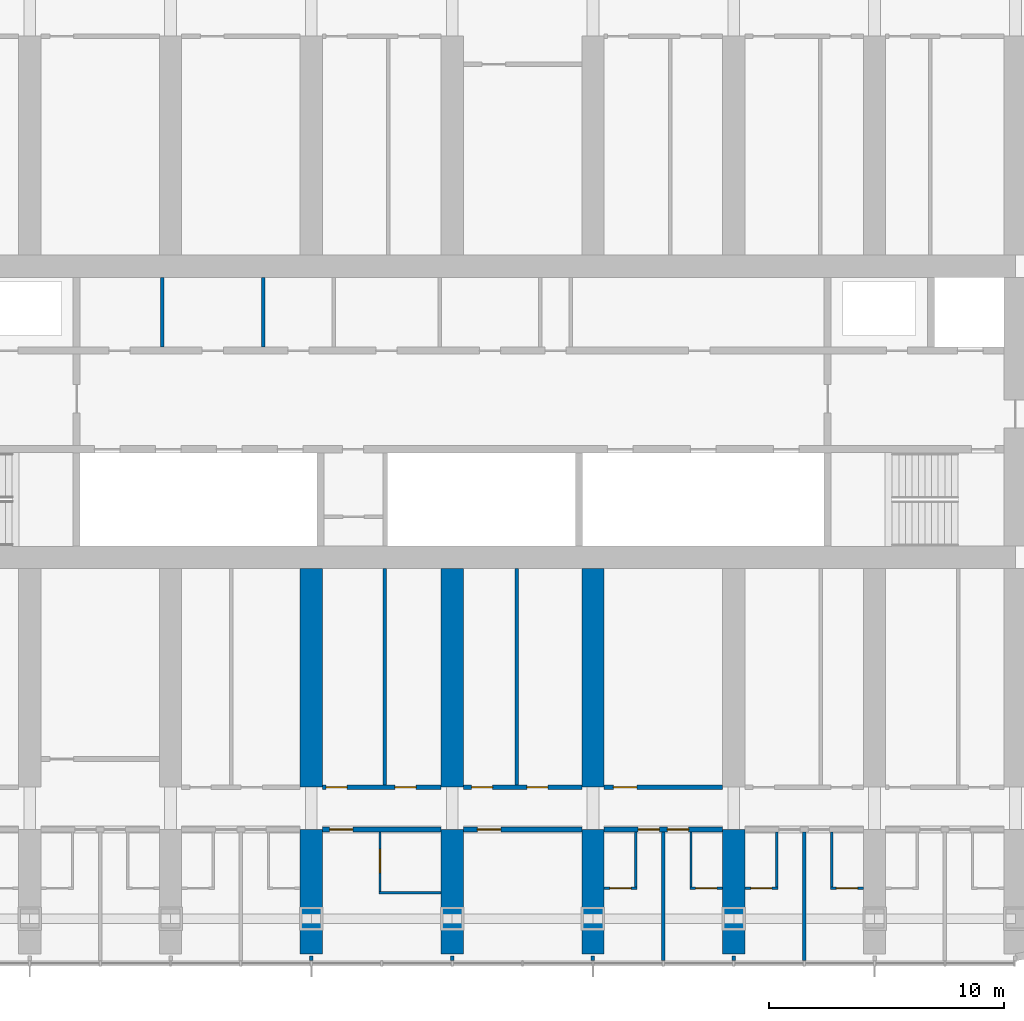
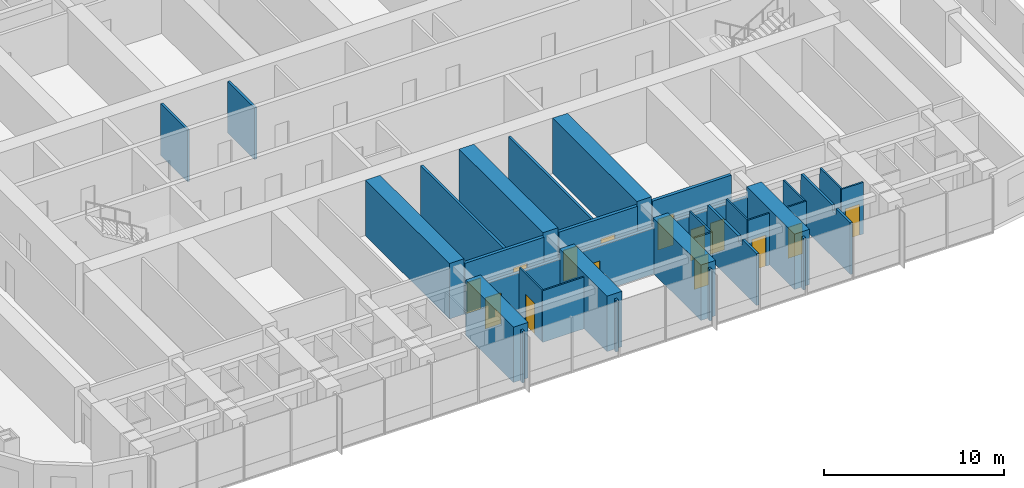
# One storey, part 10 of 21: 33 walls, 14 doors, 14 openings.
"""IFC4 building model written with IfcOpenShell, lengths in metres."""

import ifcopenshell
import ifcopenshell.guid

model = None  # the IFC model being written
_history = None  # IfcOwnerHistory: only IFC2X3 demands one
_inside = {}  # id of a spatial element -> (the spatial element, [elements in it])
_under = {}  # id of a project, library or spatial element -> (it, [spatial elements below it])
_declared = {}  # id of a project -> (the project, [libraries it declares])
_typed = {}  # id of a type object -> (the type object, [elements of that type])
_made_of = {}  # id of a material, layer set ... -> (it, [elements and type objects made of it])


def new_model(schema):
    """Start an empty IFC model of exactly this schema.

    Asked for "IFC4X3", IfcOpenShell would pick the latest addendum, in which some entities
    have other attributes; the version numbers below select the first issue.
    IFC2X3 requires an IfcOwnerHistory on every rooted entity: one is made here for all.
    """
    global model, _history
    if schema == "IFC4X3":
        model = ifcopenshell.file(schema_version=(4, 3, 0, 0))
    else:
        model = ifcopenshell.file(schema=schema)
    _inside.clear()
    _under.clear()
    _declared.clear()
    _typed.clear()
    _made_of.clear()
    _history = None
    if model.schema == "IFC2X3":
        org = make("IfcOrganization", Name="unknown")
        user = make(
            "IfcPersonAndOrganization",
            ThePerson=make("IfcPerson", FamilyName="unknown"),
            TheOrganization=org,
        )
        app = make(
            "IfcApplication",
            ApplicationDeveloper=org,
            Version="unknown",
            ApplicationFullName="unknown",
            ApplicationIdentifier="unknown",
        )
        _history = make(
            "IfcOwnerHistory",
            OwningUser=user,
            OwningApplication=app,
            ChangeAction="ADDED",
            CreationDate=0,
        )
    return model


def make(cls, **values):
    """One entity of the class cls with the attributes given. An attribute that is None is left unset."""
    return model.create_entity(
        cls, **{name: value for name, value in values.items() if value is not None}
    )


def rooted(cls, **values):
    """An entity with a GlobalId (a new one), such as an element, a storey or a relation."""
    return make(cls, GlobalId=ifcopenshell.guid.new(), OwnerHistory=_history, **values)


def si_unit(unit_type, name, prefix=None):
    """IfcSIUnit, for example si_unit("LENGTHUNIT", "METRE", prefix="MILLI")."""
    return make("IfcSIUnit", UnitType=unit_type, Prefix=prefix, Name=name)


def assignment(units):
    """IfcUnitAssignment: the units of a project."""
    return None if units is None else make("IfcUnitAssignment", Units=units)


def point(xyz):
    """IfcCartesianPoint."""
    return None if xyz is None else make("IfcCartesianPoint", Coordinates=xyz)


def direction(xyz):
    """IfcDirection."""
    return None if xyz is None else make("IfcDirection", DirectionRatios=xyz)


def frame(location, z_axis=None, x_axis=None):
    """IfcAxis2Placement3D, a coordinate frame: its origin and axes. An axis left out is left unset."""
    return make(
        "IfcAxis2Placement3D",
        Location=point(location),
        Axis=direction(z_axis),
        RefDirection=direction(x_axis),
    )


def frame_2d(location, x_axis=None):
    """IfcAxis2Placement2D, a coordinate frame in the plane: its origin and x axis."""
    return make(
        "IfcAxis2Placement2D", Location=point(location), RefDirection=direction(x_axis)
    )


def origin():
    """The frame at (0, 0, 0) with its axes left unset."""
    return frame((0.0, 0.0, 0.0))


def place(relative_to, where):
    """IfcLocalPlacement: puts the frame where relative to a parent placement (None: the world)."""
    return make(
        "IfcLocalPlacement", PlacementRelTo=relative_to, RelativePlacement=where
    )


def context(
    kind, dimensions, precision=None, world=None, true_north=None, identifier=None
):
    """IfcGeometricRepresentationContext, for example the 3D "Model" context."""
    return make(
        "IfcGeometricRepresentationContext",
        ContextIdentifier=identifier,
        ContextType=kind,
        CoordinateSpaceDimension=dimensions,
        Precision=precision,
        WorldCoordinateSystem=world,
        TrueNorth=true_north,
    )


def subcontext(parent, identifier, kind, view, scale=None):
    """IfcGeometricRepresentationSubContext, for example "Body" below "Model"."""
    return make(
        "IfcGeometricRepresentationSubContext",
        ContextIdentifier=identifier,
        ContextType=kind,
        ParentContext=parent,
        TargetScale=scale,
        TargetView=view,
    )


def project(units=None, contexts=None):
    """IfcProject with its units and contexts."""
    return rooted(
        "IfcProject",
        Name="project",
        RepresentationContexts=contexts,
        UnitsInContext=assignment(units),
    )


def spatial(cls, under=None, at=None, **own):
    """A site, building, storey or space (cls), placed at a placement, below another one or the project."""
    s = rooted(cls, ObjectPlacement=at, **own)
    if under is not None:
        _under.setdefault(under.id(), (under, []))[1].append(s)
    return s


def polyline(points):
    """IfcPolyline through the points."""
    return make("IfcPolyline", Points=[point(p) for p in points])


def profile(cls, at=None, kind="AREA", **sizes):
    """A parametric profile (cls). Its sizes go by their IFC names, for example OverallWidth=200.0."""
    return make(cls, ProfileType=kind, Position=at, **sizes)


def rectangle(**sizes):
    """IfcRectangleProfileDef."""
    return profile("IfcRectangleProfileDef", **sizes)


def outline(outer, holes=None, kind="AREA"):
    """IfcArbitraryClosedProfileDef: a profile drawn as a closed curve; with holes, ...WithVoids."""
    if holes is None:
        return make("IfcArbitraryClosedProfileDef", ProfileType=kind, OuterCurve=outer)
    return make(
        "IfcArbitraryProfileDefWithVoids",
        ProfileType=kind,
        OuterCurve=outer,
        InnerCurves=holes,
    )


def extrude(swept, where, along, depth):
    """IfcExtrudedAreaSolid: the profile swept, set in the frame where, extruded along a direction by depth."""
    return make(
        "IfcExtrudedAreaSolid",
        SweptArea=swept,
        Position=where,
        ExtrudedDirection=direction(along),
        Depth=depth,
    )


def shape(context_of_items, identifier, shape_type, items):
    """IfcShapeRepresentation: the items that make up one representation, for example the "Body"."""
    return make(
        "IfcShapeRepresentation",
        ContextOfItems=context_of_items,
        RepresentationIdentifier=identifier,
        RepresentationType=shape_type,
        Items=items,
    )


def material(Name=None, Category=None):
    """IfcMaterial."""
    return make("IfcMaterial", Name=Name, Category=Category)


def layer(
    of_material, thickness, ventilated=None, Name=None, Category=None, Priority=None
):
    """IfcMaterialLayer: one layer of a wall or slab, of a material (None: an air gap)."""
    return make(
        "IfcMaterialLayer",
        Material=of_material,
        LayerThickness=thickness,
        IsVentilated=ventilated,
        Name=Name,
        Category=Category,
        Priority=Priority,
    )


def layer_set(layers, Name=None):
    """IfcMaterialLayerSet."""
    return make("IfcMaterialLayerSet", MaterialLayers=layers, LayerSetName=Name)


def made_of(thing, what):
    """Note that an element or type object is made of a material, layer set ...; save() writes the relation."""
    if what is not None:
        _made_of.setdefault(what.id(), (what, []))[1].append(thing)
    return thing


def type_object(cls, material=None, **own):
    """A type object (cls), such as IfcWallType, which elements share."""
    return made_of(rooted(cls, **own), material)


def element(
    cls,
    number,
    at=None,
    inside=None,
    cuts=None,
    type_object=None,
    material=None,
    context=None,
    identifier="Body",
    shape_type=None,
    held_by="IfcProductDefinitionShape",
    body=None,
    shapes=None,
    **own,
):
    """One element of the class cls, such as IfcWall. Its Tag is "e" and its number.

    at: its placement. inside: the storey or other place that contains it. cuts: it is an
    opening in that element (IfcRelVoidsElement). A single representation is given by context,
    identifier, shape_type and body (its items); several are given by shapes. held_by: the class
    of the entity that holds the representations. save() writes the other relations.
    """
    e = rooted(cls, Tag="e%d" % number, ObjectPlacement=at, **own)
    if body is not None:
        shapes = [shape(context, identifier, shape_type, body)]
    if shapes is not None:
        e.Representation = make(held_by, Representations=shapes)
    if inside is not None:
        _inside.setdefault(inside.id(), (inside, []))[1].append(e)
    if cuts is not None:
        rooted(
            "IfcRelVoidsElement", RelatingBuildingElement=cuts, RelatedOpeningElement=e
        )
    if type_object is not None:
        _typed.setdefault(type_object.id(), (type_object, []))[1].append(e)
    return made_of(e, material)


def fill(opening, filler):
    """IfcRelFillsElement: the door or window that sits in an opening."""
    return rooted(
        "IfcRelFillsElement",
        RelatingOpeningElement=opening,
        RelatedBuildingElement=filler,
    )


def aggregate(whole, parts):
    """IfcRelAggregates: a whole, such as a stair, and the parts it consists of."""
    return rooted("IfcRelAggregates", RelatingObject=whole, RelatedObjects=parts)


def save(model, path):
    """Write the relations noted so far, then the file.

    IfcRelAggregates (storeys below a building ...), IfcRelContainedInSpatialStructure (elements
    in a storey), IfcRelDefinesByType, IfcRelAssociatesMaterial and IfcRelDeclares: one each for
    every whole, place, type object, material and project.
    """
    for whole, parts in _under.values():
        aggregate(whole, parts)
    for where, things in _inside.values():
        rooted(
            "IfcRelContainedInSpatialStructure",
            RelatedElements=things,
            RelatingStructure=where,
        )
    for kind, things in _typed.values():
        rooted("IfcRelDefinesByType", RelatedObjects=things, RelatingType=kind)
    for what, things in _made_of.values():
        rooted("IfcRelAssociatesMaterial", RelatedObjects=things, RelatingMaterial=what)
    for by, libraries in _declared.values():
        rooted("IfcRelDeclares", RelatingContext=by, RelatedDefinitions=libraries)
    model.write(path)


model = new_model("IFC4")

# Units and contexts
model_context = context("Model", 3, precision=1e-05, world=origin(), true_north=direction((0.0, 1.0)))
body_context = subcontext(model_context, "Body", "Model", "MODEL_VIEW")
ifc_project = project(units=[si_unit("LENGTHUNIT", "METRE"), si_unit("AREAUNIT", "SQUARE_METRE"), si_unit("VOLUMEUNIT", "CUBIC_METRE"), si_unit("PLANEANGLEUNIT", "RADIAN"), si_unit("MASSUNIT", "GRAM", prefix="KILO")], contexts=[model_context])

# Site, building, storey
site_placement = place(None, origin())
site = spatial("IfcSite", under=ifc_project, at=site_placement, CompositionType="ELEMENT")
building_placement = place(site_placement, origin())
building = spatial("IfcBuilding", under=site, at=building_placement, Name="Orbita Commons", CompositionType="ELEMENT")
storey_placement = place(building_placement, frame((0.0, 0.0, 88.14990234375)))
storey = spatial("IfcBuildingStorey", under=building, at=storey_placement, Name="L21", CompositionType="ELEMENT", Elevation=88.14990234375)

# Walls
ifc_material_1 = material(Name="Concrete blockwork", Category="masonry")
ifc_layer_1 = layer(ifc_material_1, 0.14990234375)
ifc_layer_set_1 = layer_set([ifc_layer_1], Name="Concrete blockwork")
wall_type_1 = type_object("IfcWallType", Name="Core partition 150 blockwork", PredefinedType="SOLIDWALL", material=ifc_layer_set_1)
for number, where, z_axis, x_axis, name in (
    (1, (29.65087890625, 34.75, 0.0), (0.0, 0.0, 1.0), (0.0, 1.0, 0.0), "Core partition 150 blockwork L21"),
    (2, (33.9462890625, 34.75, 0.0), (0.0, 0.0, 1.0), (0.0, 1.0, 0.0), "Core partition 150 blockwork L21"),
):
    element("IfcWall", number, at=place(storey_placement, frame(where, z_axis=z_axis, x_axis=x_axis)), inside=storey, type_object=wall_type_1, Name=name, PredefinedType="SOLIDWALL", context=body_context, shape_type="SweptSolid", body=[
        extrude(rectangle(XDim=2.97509765625, YDim=0.14990234375, at=frame_2d((1.487548828125, 0.0))), origin(), (0.0, 0.0, 1.0), 3.5),
    ])

# Wall, opening, door
ifc_material_2 = material(Name="Concrete blockwork", Category="masonry")
ifc_layer_2 = layer(ifc_material_2, 0.199951171875)
ifc_layer_set_2 = layer_set([ifc_layer_2], Name="Concrete blockwork")
wall_type_2 = type_object("IfcWallType", Name="Corridor wall 200 blockwork", PredefinedType="SOLIDWALL", material=ifc_layer_set_2)
wall_1_placement = place(storey_placement, frame((36.47509765625, 14.199951171875, 0.0), z_axis=(0.0, 0.0, 1.0), x_axis=(1.0, 0.0, 0.0)))
wall_1 = element("IfcWall", 3, at=wall_1_placement, inside=storey, type_object=wall_type_2, Name="Corridor wall 200 blockwork L21", PredefinedType="SOLIDWALL", context=body_context, shape_type="SweptSolid", body=[
    extrude(outline(polyline([(0.0, 0.0), (5.0498046875, 0.0), (5.050048828125, 3.10009765625), (0.0, 3.10009765625), (0.0, 0.0)])), frame((0.0, 0.10009765625, 0.0), z_axis=(0.0, -1.0, 0.0), x_axis=(1.0, 0.0, 0.0)), (0.0, 0.0, 1.0), 0.199951171875),
])
opening_1_placement = place(wall_1_placement, frame((0.300048828125, 0.0, 0.0)))
opening_1 = element("IfcOpeningElement", 4, at=opening_1_placement, cuts=wall_1, Name="Opening D06", PredefinedType="OPENING", context=body_context, shape_type="SweptSolid", body=[
    extrude(rectangle(XDim=1.0, YDim=2.10009765625, at=frame_2d((0.5, 1.050048828125))), frame((0.0, 0.10986328125, 0.0), z_axis=(0.0, -1.0, 0.0), x_axis=(1.0, 0.0, 0.0)), (0.0, 0.0, 1.0), 0.219970703125),
])
ifc_material_3 = material(Name="Steel-faced fire door leaf", Category="steel")
door_type_1 = type_object("IfcDoorType", Name="Corridor door 20 min 1000x2100", OperationType="SINGLE_SWING_LEFT", PredefinedType="DOOR", material=ifc_material_3)
door_1_placement = place(opening_1_placement, origin())
door_1 = element("IfcDoor", 5, at=door_1_placement, inside=storey, type_object=door_type_1, Name="Accessible bedroom L21-S08 door", OperationType="SINGLE_SWING_LEFT", OverallHeight=2.10009765625, OverallWidth=1.0, PredefinedType="DOOR", context=body_context, shape_type="SweptSolid", body=[
    extrude(rectangle(XDim=1.0, YDim=2.10009765625, at=frame_2d((0.5, 1.050048828125))), frame((0.0, 0.02490234375, 0.0), z_axis=(0.0, -1.0, 0.0), x_axis=(1.0, 0.0, 0.0)), (0.0, 0.0, 1.0), 0.050048828125),
])
fill(opening_1, door_1)

wall_2_placement = place(storey_placement, frame((42.47509765625, 14.199951171875, 0.0), z_axis=(0.0, 0.0, 1.0), x_axis=(1.0, 0.0, 0.0)))
wall_2 = element("IfcWall", 6, at=wall_2_placement, inside=storey, type_object=wall_type_2, Name="Corridor wall 200 blockwork L21", PredefinedType="SOLIDWALL", context=body_context, shape_type="SweptSolid", body=[
    extrude(outline(polyline([(0.0, 0.0), (5.0498046875, 0.0), (5.050048828125, 3.10009765625), (0.0, 3.10009765625), (0.0, 0.0)])), frame((0.0, 0.10009765625, 0.0), z_axis=(0.0, -1.0, 0.0), x_axis=(1.0, 0.0, 0.0)), (0.0, 0.0, 1.0), 0.199951171875),
])
opening_2_placement = place(wall_2_placement, frame((0.60009765625, 0.0, 0.0)))
opening_2 = element("IfcOpeningElement", 7, at=opening_2_placement, cuts=wall_2, Name="Opening D06", PredefinedType="OPENING", context=body_context, shape_type="SweptSolid", body=[
    extrude(rectangle(XDim=1.0, YDim=2.10009765625, at=frame_2d((0.5, 1.050048828125))), frame((0.0, 0.10986328125, 0.0), z_axis=(0.0, -1.0, 0.0), x_axis=(1.0, 0.0, 0.0)), (0.0, 0.0, 1.0), 0.219970703125),
])
door_2_placement = place(opening_2_placement, origin())
door_2 = element("IfcDoor", 8, at=door_2_placement, inside=storey, type_object=door_type_1, Name="Cluster kitchen-diner L21-S10 door", OperationType="SINGLE_SWING_LEFT", OverallHeight=2.10009765625, OverallWidth=1.0, PredefinedType="DOOR", context=body_context, shape_type="SweptSolid", body=[
    extrude(rectangle(XDim=1.0, YDim=2.10009765625, at=frame_2d((0.5, 1.050048828125))), frame((0.0, 0.02490234375, 0.0), z_axis=(0.0, -1.0, 0.0), x_axis=(1.0, 0.0, 0.0)), (0.0, 0.0, 1.0), 0.050048828125),
])
fill(opening_2, door_2)

# Wall, openings, doors
wall_3_placement = place(storey_placement, frame((48.47509765625, 14.199951171875, 0.0), z_axis=(0.0, 0.0, 1.0), x_axis=(1.0, 0.0, 0.0)))
wall_3 = element("IfcWall", 9, at=wall_3_placement, inside=storey, type_object=wall_type_2, Name="Corridor wall 200 blockwork L21", PredefinedType="SOLIDWALL", context=body_context, shape_type="SweptSolid", body=[
    extrude(outline(polyline([(0.0, 0.0), (5.0498046875, 0.0), (5.050048828125, 3.10009765625), (0.0, 3.10009765625), (0.0, 0.0)])), frame((0.0, 0.10009765625, 0.0), z_axis=(0.0, -1.0, 0.0), x_axis=(1.0, 0.0, 0.0)), (0.0, 0.0, 1.0), 0.199951171875),
])
opening_3_placement = place(wall_3_placement, frame((1.449951171875, 0.0, 0.0)))
opening_3 = element("IfcOpeningElement", 10, at=opening_3_placement, cuts=wall_3, Name="Opening D11", PredefinedType="OPENING", context=body_context, shape_type="SweptSolid", body=[
    extrude(rectangle(XDim=0.89990234375, YDim=2.10009765625, at=frame_2d((0.449951171875, 1.050048828125))), frame((0.0, 0.10986328125, 0.0), z_axis=(0.0, -1.0, 0.0), x_axis=(1.0, 0.0, 0.0)), (0.0, 0.0, 1.0), 0.219970703125),
])
opening_4_placement = place(wall_3_placement, frame((2.699951171875, 0.0, 0.0)))
opening_4 = element("IfcOpeningElement", 11, at=opening_4_placement, cuts=wall_3, Name="Opening D11", PredefinedType="OPENING", context=body_context, shape_type="SweptSolid", body=[
    extrude(rectangle(XDim=0.89990234375, YDim=2.10009765625, at=frame_2d((0.449951171875, 1.050048828125))), frame((0.0, 0.10986328125, 0.0), z_axis=(0.0, -1.0, 0.0), x_axis=(1.0, 0.0, 0.0)), (0.0, 0.0, 1.0), 0.219970703125),
])
ifc_material_4 = material(Name="Steel-faced fire door leaf", Category="steel")
door_type_2 = type_object("IfcDoorType", Name="Corridor door 20 min 900x2100", OperationType="SINGLE_SWING_LEFT", PredefinedType="DOOR", material=ifc_material_4)
door_3_placement = place(opening_3_placement, origin())
door_3 = element("IfcDoor", 12, at=door_3_placement, inside=storey, type_object=door_type_2, Name="Cluster bedroom L21-S12 door", OperationType="SINGLE_SWING_LEFT", OverallHeight=2.10009765625, OverallWidth=0.89990234375, PredefinedType="DOOR", context=body_context, shape_type="SweptSolid", body=[
    extrude(rectangle(XDim=0.89990234375, YDim=2.10009765625, at=frame_2d((0.449951171875, 1.050048828125))), frame((0.0, 0.02490234375, 0.0), z_axis=(0.0, -1.0, 0.0), x_axis=(1.0, 0.0, 0.0)), (0.0, 0.0, 1.0), 0.050048828125),
])
fill(opening_3, door_3)
door_4_placement = place(opening_4_placement, origin())
door_4 = element("IfcDoor", 13, at=door_4_placement, inside=storey, type_object=door_type_2, Name="Cluster bedroom L21-S13 door", OperationType="SINGLE_SWING_LEFT", OverallHeight=2.10009765625, OverallWidth=0.89990234375, PredefinedType="DOOR", context=body_context, shape_type="SweptSolid", body=[
    extrude(rectangle(XDim=0.89990234375, YDim=2.10009765625, at=frame_2d((0.449951171875, 1.050048828125))), frame((0.0, 0.02490234375, 0.0), z_axis=(0.0, -1.0, 0.0), x_axis=(1.0, 0.0, 0.0)), (0.0, 0.0, 1.0), 0.050048828125),
])
fill(opening_4, door_4)

ifc_material_5 = material(Name="Hollow concrete block 200", Category="concrete")
ifc_layer_3 = layer(ifc_material_5, 0.199951171875)
ifc_layer_set_3 = layer_set([ifc_layer_3], Name="Hollow concrete block 200")
wall_type_3 = type_object("IfcWallType", Name="Corridor wall 200 hollow concrete block", PredefinedType="SOLIDWALL", material=ifc_layer_set_3)
wall_4_placement = place(storey_placement, frame((36.47509765625, 16.0, 0.0), z_axis=(0.0, 0.0, 1.0), x_axis=(1.0, 0.0, 0.0)))
wall_4 = element("IfcWall", 14, at=wall_4_placement, inside=storey, type_object=wall_type_3, Name="Corridor wall 200 hollow concrete block L21", PredefinedType="SOLIDWALL", context=body_context, shape_type="SweptSolid", body=[
    extrude(rectangle(XDim=5.0498046875, YDim=0.199951171875, at=frame_2d((2.52490234375, 0.0))), origin(), (0.0, 0.0, 1.0), 3.5),
])
opening_5_placement = place(wall_4_placement, frame((0.14990234375, 0.0, 0.0)))
opening_5 = element("IfcOpeningElement", 15, at=opening_5_placement, cuts=wall_4, Name="Opening D11", PredefinedType="OPENING", context=body_context, shape_type="SweptSolid", body=[
    extrude(rectangle(XDim=0.89990234375, YDim=2.10009765625, at=frame_2d((0.449951171875, 1.050048828125))), frame((0.0, 0.10986328125, 0.0), z_axis=(0.0, -1.0, 0.0), x_axis=(1.0, 0.0, 0.0)), (0.0, 0.0, 1.0), 0.219970703125),
])
opening_6_placement = place(wall_4_placement, frame((3.0849609375, 0.0, 0.0)))
opening_6 = element("IfcOpeningElement", 16, at=opening_6_placement, cuts=wall_4, Name="Opening D11", PredefinedType="OPENING", context=body_context, shape_type="SweptSolid", body=[
    extrude(rectangle(XDim=0.89990234375, YDim=2.10009765625, at=frame_2d((0.449951171875, 1.050048828125))), frame((0.0, 0.10986328125, 0.0), z_axis=(0.0, -1.0, 0.0), x_axis=(1.0, 0.0, 0.0)), (0.0, 0.0, 1.0), 0.219970703125),
])
door_5_placement = place(opening_5_placement, origin())
door_5 = element("IfcDoor", 17, at=door_5_placement, inside=storey, type_object=door_type_2, Name="Battery and UPS room L21-BDS36n door", OperationType="SINGLE_SWING_LEFT", OverallHeight=2.10009765625, OverallWidth=0.89990234375, PredefinedType="DOOR", context=body_context, shape_type="SweptSolid", body=[
    extrude(rectangle(XDim=0.89990234375, YDim=2.10009765625, at=frame_2d((0.449951171875, 1.050048828125))), frame((0.0, 0.02490234375, 0.0), z_axis=(0.0, -1.0, 0.0), x_axis=(1.0, 0.0, 0.0)), (0.0, 0.0, 1.0), 0.050048828125),
])
fill(opening_5, door_5)
door_6_placement = place(opening_6_placement, origin())
door_6 = element("IfcDoor", 18, at=door_6_placement, inside=storey, type_object=door_type_2, Name="Cluster pantry L21-BDS36 door", OperationType="SINGLE_SWING_LEFT", OverallHeight=2.10009765625, OverallWidth=0.89990234375, PredefinedType="DOOR", context=body_context, shape_type="SweptSolid", body=[
    extrude(rectangle(XDim=0.89990234375, YDim=2.10009765625, at=frame_2d((0.449951171875, 1.050048828125))), frame((0.0, 0.02490234375, 0.0), z_axis=(0.0, -1.0, 0.0), x_axis=(1.0, 0.0, 0.0)), (0.0, 0.0, 1.0), 0.050048828125),
])
fill(opening_6, door_6)

wall_5_placement = place(storey_placement, frame((42.47509765625, 16.0, 0.0), z_axis=(0.0, 0.0, 1.0), x_axis=(1.0, 0.0, 0.0)))
wall_5 = element("IfcWall", 19, at=wall_5_placement, inside=storey, type_object=wall_type_3, Name="Corridor wall 200 hollow concrete block L21", PredefinedType="SOLIDWALL", context=body_context, shape_type="SweptSolid", body=[
    extrude(rectangle(XDim=5.0498046875, YDim=0.199951171875, at=frame_2d((2.52490234375, 0.0))), origin(), (0.0, 0.0, 1.0), 3.5),
])
opening_7_placement = place(wall_5_placement, frame((0.35009765625, 0.0, 0.0)))
opening_7 = element("IfcOpeningElement", 20, at=opening_7_placement, cuts=wall_5, Name="Opening D11", PredefinedType="OPENING", context=body_context, shape_type="SweptSolid", body=[
    extrude(rectangle(XDim=0.89990234375, YDim=2.10009765625, at=frame_2d((0.449951171875, 1.050048828125))), frame((0.0, 0.10986328125, 0.0), z_axis=(0.0, -1.0, 0.0), x_axis=(1.0, 0.0, 0.0)), (0.0, 0.0, 1.0), 0.219970703125),
])
opening_8_placement = place(wall_5_placement, frame((2.705078125, 0.0, 0.0)))
opening_8 = element("IfcOpeningElement", 21, at=opening_8_placement, cuts=wall_5, Name="Opening D11", PredefinedType="OPENING", context=body_context, shape_type="SweptSolid", body=[
    extrude(rectangle(XDim=0.89990234375, YDim=2.10009765625, at=frame_2d((0.449951171875, 1.050048828125))), frame((0.0, 0.10986328125, 0.0), z_axis=(0.0, -1.0, 0.0), x_axis=(1.0, 0.0, 0.0)), (0.0, 0.0, 1.0), 0.219970703125),
])
door_7_placement = place(opening_7_placement, origin())
door_7 = element("IfcDoor", 22, at=door_7_placement, inside=storey, type_object=door_type_2, Name="Sprinkler valve room L21-BDS42n door", OperationType="SINGLE_SWING_LEFT", OverallHeight=2.10009765625, OverallWidth=0.89990234375, PredefinedType="DOOR", context=body_context, shape_type="SweptSolid", body=[
    extrude(rectangle(XDim=0.89990234375, YDim=2.10009765625, at=frame_2d((0.449951171875, 1.050048828125))), frame((0.0, 0.02490234375, 0.0), z_axis=(0.0, -1.0, 0.0), x_axis=(1.0, 0.0, 0.0)), (0.0, 0.0, 1.0), 0.050048828125),
])
fill(opening_7, door_7)
door_8_placement = place(opening_8_placement, origin())
door_8 = element("IfcDoor", 23, at=door_8_placement, inside=storey, type_object=door_type_2, Name="Refuse and recycling room L21-BDS42 door", OperationType="SINGLE_SWING_LEFT", OverallHeight=2.10009765625, OverallWidth=0.89990234375, PredefinedType="DOOR", context=body_context, shape_type="SweptSolid", body=[
    extrude(rectangle(XDim=0.89990234375, YDim=2.10009765625, at=frame_2d((0.449951171875, 1.050048828125))), frame((0.0, 0.02490234375, 0.0), z_axis=(0.0, -1.0, 0.0), x_axis=(1.0, 0.0, 0.0)), (0.0, 0.0, 1.0), 0.050048828125),
])
fill(opening_8, door_8)

# Wall, opening, door
wall_6_placement = place(storey_placement, frame((48.47509765625, 16.0, 0.0), z_axis=(0.0, 0.0, 1.0), x_axis=(1.0, 0.0, 0.0)))
wall_6 = element("IfcWall", 24, at=wall_6_placement, inside=storey, type_object=wall_type_3, Name="Corridor wall 200 hollow concrete block L21", PredefinedType="SOLIDWALL", context=body_context, shape_type="SweptSolid", body=[
    extrude(rectangle(XDim=5.0498046875, YDim=0.199951171875, at=frame_2d((2.52490234375, 0.0))), origin(), (0.0, 0.0, 1.0), 3.5),
])
opening_9_placement = place(wall_6_placement, frame((0.39990234375, 0.0, 0.0)))
opening_9 = element("IfcOpeningElement", 25, at=opening_9_placement, cuts=wall_6, Name="Opening D06", PredefinedType="OPENING", context=body_context, shape_type="SweptSolid", body=[
    extrude(rectangle(XDim=1.0, YDim=2.10009765625, at=frame_2d((0.5, 1.050048828125))), frame((0.0, 0.10986328125, 0.0), z_axis=(0.0, -1.0, 0.0), x_axis=(1.0, 0.0, 0.0)), (0.0, 0.0, 1.0), 0.219970703125),
])
door_9_placement = place(opening_9_placement, origin())
door_9 = element("IfcDoor", 26, at=door_9_placement, inside=storey, type_object=door_type_1, Name="Bulk and luggage store L21-BDS48 door", OperationType="SINGLE_SWING_LEFT", OverallHeight=2.10009765625, OverallWidth=1.0, PredefinedType="DOOR", context=body_context, shape_type="SweptSolid", body=[
    extrude(rectangle(XDim=1.0, YDim=2.10009765625, at=frame_2d((0.5, 1.050048828125))), frame((0.0, 0.02490234375, 0.0), z_axis=(0.0, -1.0, 0.0), x_axis=(1.0, 0.0, 0.0)), (0.0, 0.0, 1.0), 0.050048828125),
])
fill(opening_9, door_9)

# Walls
ifc_material_6 = material(Name="Concrete C50/60", Category="concrete")
ifc_layer_4 = layer(ifc_material_6, 0.949951171875)
ifc_layer_set_4 = layer_set([ifc_layer_4], Name="Concrete C50/60")
wall_type_4 = type_object("IfcWallType", Name="Cross wall 950 C50/60", PredefinedType="SHEAR", material=ifc_layer_set_4)
wall_7_placement = place(storey_placement, frame((36.0, 8.89990234375, 0.0), z_axis=(0.0, 0.0, 1.0), x_axis=(0.0, 1.0, 0.0)))
element("IfcWall", 27, at=wall_7_placement, inside=storey, type_object=wall_type_4, Name="Cross wall 7 south outer L21", PredefinedType="SHEAR", context=body_context, shape_type="SweptSolid", body=[
    extrude(rectangle(XDim=5.300048828125, YDim=0.949951171875, at=frame_2d((2.64990234375, 0.0))), origin(), (0.0, 0.0, 1.0), 3.75),
])
wall_8_placement = place(storey_placement, frame((36.0, 16.0, 0.0), z_axis=(0.0, 0.0, 1.0), x_axis=(0.0, 1.0, 0.0)))
element("IfcWall", 28, at=wall_8_placement, inside=storey, type_object=wall_type_4, Name="Cross wall 7 south inner L21", PredefinedType="SHEAR", context=body_context, shape_type="SweptSolid", body=[
    extrude(rectangle(XDim=9.324951171875, YDim=0.949951171875, at=frame_2d((4.66259765625, 0.0))), origin(), (0.0, 0.0, 1.0), 3.75),
])
wall_9_placement = place(storey_placement, frame((42.0, 8.89990234375, 0.0), z_axis=(0.0, 0.0, 1.0), x_axis=(0.0, 1.0, 0.0)))
element("IfcWall", 29, at=wall_9_placement, inside=storey, type_object=wall_type_4, Name="Cross wall 8 south outer L21", PredefinedType="SHEAR", context=body_context, shape_type="SweptSolid", body=[
    extrude(rectangle(XDim=5.300048828125, YDim=0.949951171875, at=frame_2d((2.64990234375, 0.0))), origin(), (0.0, 0.0, 1.0), 3.75),
])
wall_10_placement = place(storey_placement, frame((42.0, 16.0, 0.0), z_axis=(0.0, 0.0, 1.0), x_axis=(0.0, 1.0, 0.0)))
element("IfcWall", 30, at=wall_10_placement, inside=storey, type_object=wall_type_4, Name="Cross wall 8 south inner L21", PredefinedType="SHEAR", context=body_context, shape_type="SweptSolid", body=[
    extrude(rectangle(XDim=9.324951171875, YDim=0.949951171875, at=frame_2d((4.66259765625, 0.0))), origin(), (0.0, 0.0, 1.0), 3.75),
])
wall_11_placement = place(storey_placement, frame((48.0, 8.89990234375, 0.0), z_axis=(0.0, 0.0, 1.0), x_axis=(0.0, 1.0, 0.0)))
element("IfcWall", 31, at=wall_11_placement, inside=storey, type_object=wall_type_4, Name="Cross wall 9 south outer L21", PredefinedType="SHEAR", context=body_context, shape_type="SweptSolid", body=[
    extrude(rectangle(XDim=5.300048828125, YDim=0.949951171875, at=frame_2d((2.64990234375, 0.0))), origin(), (0.0, 0.0, 1.0), 3.75),
])
wall_12_placement = place(storey_placement, frame((48.0, 16.0, 0.0), z_axis=(0.0, 0.0, 1.0), x_axis=(0.0, 1.0, 0.0)))
element("IfcWall", 32, at=wall_12_placement, inside=storey, type_object=wall_type_4, Name="Cross wall 9 south inner L21", PredefinedType="SHEAR", context=body_context, shape_type="SweptSolid", body=[
    extrude(rectangle(XDim=9.324951171875, YDim=0.949951171875, at=frame_2d((4.66259765625, 0.0))), origin(), (0.0, 0.0, 1.0), 3.75),
])
wall_13_placement = place(storey_placement, frame((54.0, 8.89990234375, 0.0), z_axis=(0.0, 0.0, 1.0), x_axis=(0.0, 1.0, 0.0)))
element("IfcWall", 33, at=wall_13_placement, inside=storey, type_object=wall_type_4, Name="Cross wall 10 south outer L21", PredefinedType="SHEAR", context=body_context, shape_type="SweptSolid", body=[
    extrude(rectangle(XDim=5.300048828125, YDim=0.949951171875, at=frame_2d((2.64990234375, 0.0))), origin(), (0.0, 0.0, 1.0), 3.75),
])
ifc_material_7 = material(Name="Moisture-resistant plasterboard on steel studs", Category="steel")
ifc_layer_5 = layer(ifc_material_7, 0.10009765625)
ifc_layer_set_5 = layer_set([ifc_layer_5], Name="Moisture-resistant plasterboard on steel studs")
wall_type_5 = type_object("IfcWallType", Name="En-suite partition 100", PredefinedType="PARTITIONING", material=ifc_layer_set_5)
wall_14_placement = place(storey_placement, frame((38.875, 11.5, 0.0), z_axis=(0.0, 0.0, 1.0), x_axis=(1.0, 0.0, 0.0)))
element("IfcWall", 34, at=wall_14_placement, inside=storey, type_object=wall_type_5, Name="En-suite partition 100 L21", PredefinedType="PARTITIONING", context=body_context, shape_type="SweptSolid", body=[
    extrude(rectangle(XDim=2.64990234375, YDim=0.10009765625, at=frame_2d((1.324951171875, 0.0))), origin(), (0.0, 0.0, 1.0), 3.5),
])

# Wall, opening, door
wall_15_placement = place(storey_placement, frame((38.925048828125, 11.550048828125, 0.0), z_axis=(0.0, 0.0, 1.0), x_axis=(0.0, 1.0, 0.0)))
wall_15 = element("IfcWall", 35, at=wall_15_placement, inside=storey, type_object=wall_type_5, Name="En-suite partition 100 L21", PredefinedType="PARTITIONING", context=body_context, shape_type="SweptSolid", body=[
    extrude(outline(polyline([(0.0, 0.0), (2.550048828125, 0.0), (2.550048828125, 3.10009765625), (2.501953125, 3.10009765625), (2.5, 3.5), (0.0, 3.5), (0.0, 0.0)])), frame((0.0, 0.050048828125, 0.0), z_axis=(0.0, -1.0, 0.0), x_axis=(1.0, 0.0, 0.0)), (0.0, 0.0, 1.0), 0.10009765625),
])
opening_10_placement = place(wall_15_placement, frame((0.800048828125, 0.0, 0.0)))
opening_10 = element("IfcOpeningElement", 36, at=opening_10_placement, cuts=wall_15, Name="Opening D13", PredefinedType="OPENING", context=body_context, shape_type="SweptSolid", body=[
    extrude(rectangle(XDim=1.0, YDim=2.10009765625, at=frame_2d((0.5, 1.050048828125))), frame((0.0, 0.06005859375, 0.0), z_axis=(0.0, -1.0, 0.0), x_axis=(1.0, 0.0, 0.0)), (0.0, 0.0, 1.0), 0.1201171875),
])
ifc_material_8 = material(Name="Laminated timber door leaf", Category="wood")
door_type_3 = type_object("IfcDoorType", Name="En-suite door 1000x2100", OperationType="SINGLE_SWING_RIGHT", PredefinedType="DOOR", material=ifc_material_8)
door_10_placement = place(opening_10_placement, origin())
door_10 = element("IfcDoor", 37, at=door_10_placement, inside=storey, type_object=door_type_3, Name="Accessible shower room L21-S08 door", OperationType="SINGLE_SWING_RIGHT", OverallHeight=2.10009765625, OverallWidth=1.0, PredefinedType="DOOR", context=body_context, shape_type="SweptSolid", body=[
    extrude(rectangle(XDim=1.0, YDim=2.10009765625, at=frame_2d((0.5, 1.050048828125))), frame((0.0, 0.02490234375, 0.0), z_axis=(0.0, -1.0, 0.0), x_axis=(1.0, 0.0, 0.0)), (0.0, 0.0, 1.0), 0.050048828125),
])
fill(opening_10, door_10)

wall_16_placement = place(storey_placement, frame((49.875, 11.699951171875, 0.0), z_axis=(0.0, 0.0, 1.0), x_axis=(-1.0, 0.0, 0.0)))
wall_16 = element("IfcWall", 38, at=wall_16_placement, inside=storey, type_object=wall_type_5, Name="En-suite partition 100 L21", PredefinedType="PARTITIONING", context=body_context, shape_type="SweptSolid", body=[
    extrude(rectangle(XDim=1.39990234375, YDim=0.10009765625, at=frame_2d((0.699951171875, 0.0))), origin(), (0.0, 0.0, 1.0), 3.5),
])
opening_11_placement = place(wall_16_placement, frame((0.25, 0.0, 0.0)))
opening_11 = element("IfcOpeningElement", 39, at=opening_11_placement, cuts=wall_16, Name="Opening D09", PredefinedType="OPENING", context=body_context, shape_type="SweptSolid", body=[
    extrude(rectangle(XDim=0.89990234375, YDim=2.10009765625, at=frame_2d((0.449951171875, 1.050048828125))), frame((0.0, 0.06005859375, 0.0), z_axis=(0.0, -1.0, 0.0), x_axis=(1.0, 0.0, 0.0)), (0.0, 0.0, 1.0), 0.1201171875),
])
ifc_material_9 = material(Name="Laminated timber door leaf", Category="wood")
door_type_4 = type_object("IfcDoorType", Name="En-suite door 900x2100", OperationType="SINGLE_SWING_RIGHT", PredefinedType="DOOR", material=ifc_material_9)
door_11_placement = place(opening_11_placement, origin())
door_11 = element("IfcDoor", 40, at=door_11_placement, inside=storey, type_object=door_type_4, Name="En-suite L21-S12 door", OperationType="SINGLE_SWING_RIGHT", OverallHeight=2.10009765625, OverallWidth=0.89990234375, PredefinedType="DOOR", context=body_context, shape_type="SweptSolid", body=[
    extrude(rectangle(XDim=0.89990234375, YDim=2.10009765625, at=frame_2d((0.449951171875, 1.050048828125))), frame((0.0, 0.02490234375, 0.0), z_axis=(0.0, -1.0, 0.0), x_axis=(1.0, 0.0, 0.0)), (0.0, 0.0, 1.0), 0.050048828125),
])
fill(opening_11, door_11)

# Wall
wall_17_placement = place(storey_placement, frame((49.824951171875, 11.75, 0.0), z_axis=(0.0, 0.0, 1.0), x_axis=(0.0, 1.0, 0.0)))
element("IfcWall", 41, at=wall_17_placement, inside=storey, type_object=wall_type_5, Name="En-suite partition 100 L21", PredefinedType="PARTITIONING", context=body_context, shape_type="SweptSolid", body=[
    extrude(outline(polyline([(0.0, 0.0), (2.35009765625, 0.0), (2.35009765625, 3.10009765625), (2.302001953125, 3.10009765625), (2.300048828125, 3.5), (0.0, 3.5), (0.0, 0.0)])), frame((0.0, 0.050048828125, 0.0), z_axis=(0.0, -1.0, 0.0), x_axis=(1.0, 0.0, 0.0)), (0.0, 0.0, 1.0), 0.10009765625),
])

# Wall, opening, door
wall_18_placement = place(storey_placement, frame((53.52490234375, 11.699951171875, 0.0), z_axis=(0.0, 0.0, 1.0), x_axis=(-1.0, 0.0, 0.0)))
wall_18 = element("IfcWall", 42, at=wall_18_placement, inside=storey, type_object=wall_type_5, Name="En-suite partition 100 L21", PredefinedType="PARTITIONING", context=body_context, shape_type="SweptSolid", body=[
    extrude(rectangle(XDim=1.39990234375, YDim=0.10009765625, at=frame_2d((0.699951171875, 0.0))), origin(), (0.0, 0.0, 1.0), 3.5),
])
opening_12_placement = place(wall_18_placement, frame((0.25, 0.0, 0.0)))
opening_12 = element("IfcOpeningElement", 43, at=opening_12_placement, cuts=wall_18, Name="Opening D09", PredefinedType="OPENING", context=body_context, shape_type="SweptSolid", body=[
    extrude(rectangle(XDim=0.89990234375, YDim=2.10009765625, at=frame_2d((0.449951171875, 1.050048828125))), frame((0.0, 0.06005859375, 0.0), z_axis=(0.0, -1.0, 0.0), x_axis=(1.0, 0.0, 0.0)), (0.0, 0.0, 1.0), 0.1201171875),
])
door_12_placement = place(opening_12_placement, origin())
door_12 = element("IfcDoor", 44, at=door_12_placement, inside=storey, type_object=door_type_4, Name="En-suite L21-S13 door", OperationType="SINGLE_SWING_RIGHT", OverallHeight=2.10009765625, OverallWidth=0.89990234375, PredefinedType="DOOR", context=body_context, shape_type="SweptSolid", body=[
    extrude(rectangle(XDim=0.89990234375, YDim=2.10009765625, at=frame_2d((0.449951171875, 1.050048828125))), frame((0.0, 0.02490234375, 0.0), z_axis=(0.0, -1.0, 0.0), x_axis=(1.0, 0.0, 0.0)), (0.0, 0.0, 1.0), 0.050048828125),
])
fill(opening_12, door_12)

# Wall
wall_19_placement = place(storey_placement, frame((52.175048828125, 11.75, 0.0), z_axis=(0.0, 0.0, 1.0), x_axis=(0.0, 1.0, 0.0)))
element("IfcWall", 45, at=wall_19_placement, inside=storey, type_object=wall_type_5, Name="En-suite partition 100 L21", PredefinedType="PARTITIONING", context=body_context, shape_type="SweptSolid", body=[
    extrude(outline(polyline([(0.0, 0.0), (2.35009765625, 0.0), (2.35009765625, 3.10009765625), (2.302001953125, 3.10009765625), (2.300048828125, 3.5), (0.0, 3.5), (0.0, 0.0)])), frame((0.0, 0.050048828125, 0.0), z_axis=(0.0, -1.0, 0.0), x_axis=(1.0, 0.0, 0.0)), (0.0, 0.0, 1.0), 0.10009765625),
])

# Wall, opening, door
wall_20_placement = place(storey_placement, frame((55.875, 11.699951171875, 0.0), z_axis=(0.0, 0.0, 1.0), x_axis=(-1.0, 0.0, 0.0)))
wall_20 = element("IfcWall", 46, at=wall_20_placement, inside=storey, type_object=wall_type_5, Name="En-suite partition 100 L21", PredefinedType="PARTITIONING", context=body_context, shape_type="SweptSolid", body=[
    extrude(rectangle(XDim=1.39990234375, YDim=0.10009765625, at=frame_2d((0.699951171875, 0.0))), origin(), (0.0, 0.0, 1.0), 3.5),
])
opening_13_placement = place(wall_20_placement, frame((0.25, 0.0, 0.0)))
opening_13 = element("IfcOpeningElement", 47, at=opening_13_placement, cuts=wall_20, Name="Opening D09", PredefinedType="OPENING", context=body_context, shape_type="SweptSolid", body=[
    extrude(rectangle(XDim=0.89990234375, YDim=2.10009765625, at=frame_2d((0.449951171875, 1.050048828125))), frame((0.0, 0.06005859375, 0.0), z_axis=(0.0, -1.0, 0.0), x_axis=(1.0, 0.0, 0.0)), (0.0, 0.0, 1.0), 0.1201171875),
])
door_13_placement = place(opening_13_placement, origin())
door_13 = element("IfcDoor", 48, at=door_13_placement, inside=storey, type_object=door_type_4, Name="En-suite L21-S14 door", OperationType="SINGLE_SWING_RIGHT", OverallHeight=2.10009765625, OverallWidth=0.89990234375, PredefinedType="DOOR", context=body_context, shape_type="SweptSolid", body=[
    extrude(rectangle(XDim=0.89990234375, YDim=2.10009765625, at=frame_2d((0.449951171875, 1.050048828125))), frame((0.0, 0.02490234375, 0.0), z_axis=(0.0, -1.0, 0.0), x_axis=(1.0, 0.0, 0.0)), (0.0, 0.0, 1.0), 0.050048828125),
])
fill(opening_13, door_13)

# Wall
wall_21_placement = place(storey_placement, frame((55.824951171875, 11.75, 0.0), z_axis=(0.0, 0.0, 1.0), x_axis=(0.0, 1.0, 0.0)))
element("IfcWall", 49, at=wall_21_placement, inside=storey, type_object=wall_type_5, Name="En-suite partition 100 L21", PredefinedType="PARTITIONING", context=body_context, shape_type="SweptSolid", body=[
    extrude(outline(polyline([(0.0, 0.0), (2.35009765625, 0.0), (2.35009765625, 3.10009765625), (2.302001953125, 3.10009765625), (2.300048828125, 3.5), (0.0, 3.5), (0.0, 0.0)])), frame((0.0, 0.050048828125, 0.0), z_axis=(0.0, -1.0, 0.0), x_axis=(1.0, 0.0, 0.0)), (0.0, 0.0, 1.0), 0.10009765625),
])

# Wall, opening, door
wall_22_placement = place(storey_placement, frame((59.52490234375, 11.699951171875, 0.0), z_axis=(0.0, 0.0, 1.0), x_axis=(-1.0, 0.0, 0.0)))
wall_22 = element("IfcWall", 50, at=wall_22_placement, inside=storey, type_object=wall_type_5, Name="En-suite partition 100 L21", PredefinedType="PARTITIONING", context=body_context, shape_type="SweptSolid", body=[
    extrude(rectangle(XDim=1.39990234375, YDim=0.10009765625, at=frame_2d((0.699951171875, 0.0))), origin(), (0.0, 0.0, 1.0), 3.5),
])
opening_14_placement = place(wall_22_placement, frame((0.25, 0.0, 0.0)))
opening_14 = element("IfcOpeningElement", 51, at=opening_14_placement, cuts=wall_22, Name="Opening D09", PredefinedType="OPENING", context=body_context, shape_type="SweptSolid", body=[
    extrude(rectangle(XDim=0.89990234375, YDim=2.10009765625, at=frame_2d((0.449951171875, 1.050048828125))), frame((0.0, 0.06005859375, 0.0), z_axis=(0.0, -1.0, 0.0), x_axis=(1.0, 0.0, 0.0)), (0.0, 0.0, 1.0), 0.1201171875),
])
door_14_placement = place(opening_14_placement, origin())
door_14 = element("IfcDoor", 52, at=door_14_placement, inside=storey, type_object=door_type_4, Name="En-suite L21-S15 door", OperationType="SINGLE_SWING_RIGHT", OverallHeight=2.10009765625, OverallWidth=0.89990234375, PredefinedType="DOOR", context=body_context, shape_type="SweptSolid", body=[
    extrude(rectangle(XDim=0.89990234375, YDim=2.10009765625, at=frame_2d((0.449951171875, 1.050048828125))), frame((0.0, 0.02490234375, 0.0), z_axis=(0.0, -1.0, 0.0), x_axis=(1.0, 0.0, 0.0)), (0.0, 0.0, 1.0), 0.050048828125),
])
fill(opening_14, door_14)

# Walls
wall_23_placement = place(storey_placement, frame((58.175048828125, 11.75, 0.0), z_axis=(0.0, 0.0, 1.0), x_axis=(0.0, 1.0, 0.0)))
element("IfcWall", 53, at=wall_23_placement, inside=storey, type_object=wall_type_5, Name="En-suite partition 100 L21", PredefinedType="PARTITIONING", context=body_context, shape_type="SweptSolid", body=[
    extrude(outline(polyline([(0.0, 0.0), (2.35009765625, 0.0), (2.35009765625, 3.10009765625), (2.302001953125, 3.10009765625), (2.300048828125, 3.5), (0.0, 3.5), (0.0, 0.0)])), frame((0.0, 0.050048828125, 0.0), z_axis=(0.0, -1.0, 0.0), x_axis=(1.0, 0.0, 0.0)), (0.0, 0.0, 1.0), 0.10009765625),
])
ifc_material_10 = material(Name="Gypsum plasterboard on steel studs", Category="steel")
ifc_layer_6 = layer(ifc_material_10, 0.14990234375)
ifc_layer_set_6 = layer_set([ifc_layer_6], Name="Gypsum plasterboard on steel studs")
wall_type_6 = type_object("IfcWallType", Name="Partition 150 plasterboard", PredefinedType="PARTITIONING", material=ifc_layer_set_6)
for number, where, z_axis, x_axis, name in (
    (54, (39.135009765625, 16.10009765625, 0.0), (0.0, 0.0, 1.0), (0.0, 1.0, 0.0), "Partition 150 plasterboard L21"),
    (55, (44.7548828125, 16.10009765625, 0.0), (0.0, 0.0, 1.0), (0.0, 1.0, 0.0), "Partition 150 plasterboard L21"),
):
    element("IfcWall", number, at=place(storey_placement, frame(where, z_axis=z_axis, x_axis=x_axis)), inside=storey, type_object=wall_type_6, Name=name, PredefinedType="PARTITIONING", context=body_context, shape_type="SweptSolid", body=[
        extrude(rectangle(XDim=9.224853515625, YDim=0.14990234375, at=frame_2d((4.6123046875, 0.0))), origin(), (0.0, 0.0, 1.0), 3.5),
    ])
for number, where, z_axis, x_axis, name in (
    (56, (36.0, 8.800048828125, 0.0), (0.0, 0.0, 1.0), (0.0, -1.0, 0.0), "Partition 150 plasterboard L21"),
    (57, (42.0, 8.800048828125, 0.0), (0.0, 0.0, 1.0), (0.0, -1.0, 0.0), "Partition 150 plasterboard L21"),
    (58, (48.0, 8.800048828125, 0.0), (0.0, 0.0, 1.0), (0.0, -1.0, 0.0), "Partition 150 plasterboard L21"),
    (59, (54.0, 8.800048828125, 0.0), (0.0, 0.0, 1.0), (0.0, -1.0, 0.0), "Partition 150 plasterboard L21"),
):
    element("IfcWall", number, at=place(storey_placement, frame(where, z_axis=z_axis, x_axis=x_axis)), inside=storey, type_object=wall_type_6, Name=name, PredefinedType="PARTITIONING", context=body_context, shape_type="SweptSolid", body=[
        extrude(rectangle(XDim=0.18994140625, YDim=0.14990234375, at=frame_2d((0.094970703125, 0.0))), origin(), (0.0, 0.0, 1.0), 3.5),
    ])
ifc_material_11 = material(Name="Gypsum plasterboard on steel studs", Category="steel")
ifc_layer_7 = layer(ifc_material_11, 0.14990234375)
ifc_layer_set_7 = layer_set([ifc_layer_7], Name="Gypsum plasterboard on steel studs")
wall_type_7 = type_object("IfcWallType", Name="Party wall 150 plasterboard", PredefinedType="PARTITIONING", material=ifc_layer_set_7)
for number, where, z_axis, x_axis, name in (
    (60, (51.0, 8.610107421875, 0.0), (0.0, 0.0, 1.0), (0.0, 1.0, 0.0), "Party wall 150 plasterboard L21"),
    (61, (57.0, 8.610107421875, 0.0), (0.0, 0.0, 1.0), (0.0, 1.0, 0.0), "Party wall 150 plasterboard L21"),
):
    element("IfcWall", number, at=place(storey_placement, frame(where, z_axis=z_axis, x_axis=x_axis)), inside=storey, type_object=wall_type_7, Name=name, PredefinedType="PARTITIONING", context=body_context, shape_type="SweptSolid", body=[
        extrude(outline(polyline([(0.0, 0.0), (5.489990234375, 0.0), (5.489990234375, 3.10009765625), (5.44189453125, 3.10009765625), (5.43994140625, 3.5), (1.991943359375, 3.5), (1.989990234375, 3.10009765625), (1.592041015625, 3.10009765625), (1.590087890625, 3.5), (0.0, 3.5), (0.0, 0.0)])), frame((0.0, 0.074951171875, 0.0), z_axis=(0.0, -1.0, 0.0), x_axis=(1.0, 0.0, 0.0)), (0.0, 0.0, 1.0), 0.14990234375),
    ])

save(model, "model.ifc")
